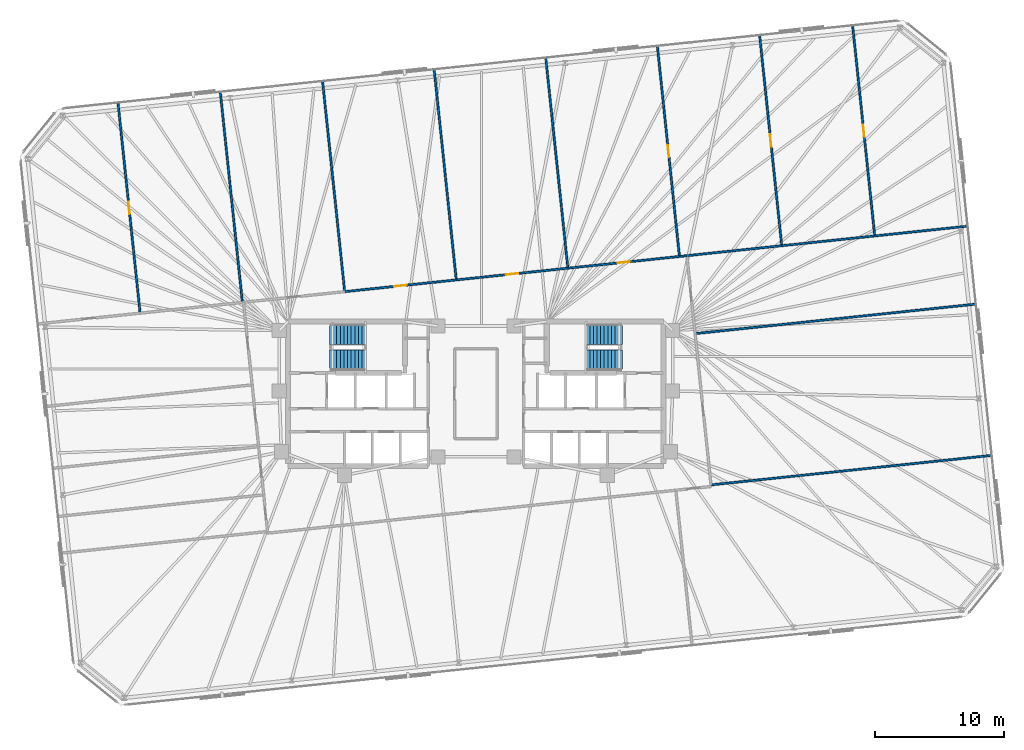
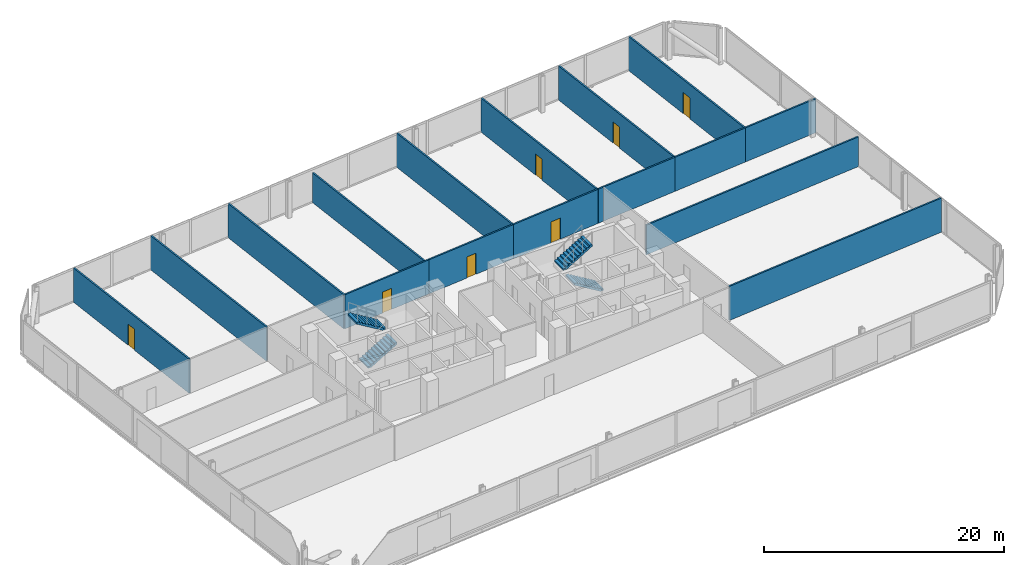
# One storey, part 16 of 18: 17 walls, 7 doors, 4 stair flights, 7 openings, 2 elements without a shape of their own.
"""IFC4 building model written with IfcOpenShell, lengths in metres."""

from ifc_helpers import new_model, si_unit, direction, frame, frame_2d, origin, place, context, subcontext, project, spatial, polyline, rectangle, outline, extrude, material, layer, layer_set, type_object, element, fill, aggregate, save


model = new_model("IFC4")

# Units and contexts
model_context = context("Model", 3, precision=1e-05, world=origin(), true_north=direction((0.0, 1.0)))
body_context = subcontext(model_context, "Body", "Model", "MODEL_VIEW")
ifc_project = project(units=[si_unit("LENGTHUNIT", "METRE"), si_unit("AREAUNIT", "SQUARE_METRE"), si_unit("VOLUMEUNIT", "CUBIC_METRE"), si_unit("PLANEANGLEUNIT", "RADIAN"), si_unit("MASSUNIT", "GRAM", prefix="KILO")], contexts=[model_context])

# Site, building, storey
site_placement = place(None, origin())
site = spatial("IfcSite", under=ifc_project, at=site_placement, CompositionType="ELEMENT")
building_placement = place(site_placement, origin())
building = spatial("IfcBuilding", under=site, at=building_placement, Name="Menara Jurai Vektor", CompositionType="ELEMENT")
storey_placement = place(building_placement, frame((0.0, 0.0, 105.89990234375)))
storey = spatial("IfcBuildingStorey", under=building, at=storey_placement, Name="L26", CompositionType="ELEMENT", Elevation=105.89990234375)

# Wall, opening, door
ifc_material_1 = material(Name="Gypsum Fireboard Partition", Category="gypsum")
ifc_layer_1 = layer(ifc_material_1, 0.14990234375)
ifc_layer_set_1 = layer_set([ifc_layer_1], Name="Gypsum Fireboard Partition")
wall_type_1 = type_object("IfcWallType", Name="INT-WALL-CORR-150", PredefinedType="PARTITIONING", material=ifc_layer_set_1)
wall_1_placement = place(storey_placement, frame((-10.172607421875, 7.915283203125, 0.0), z_axis=(0.0, 0.0, 1.0), x_axis=(0.994521586424, 0.104531402636, 0.0)))
wall_1 = element("IfcWall", 1, at=wall_1_placement, inside=storey, type_object=wall_type_1, Name="Interior Wall IW-150 L26", PredefinedType="PARTITIONING", context=body_context, shape_type="SweptSolid", body=[
    extrude(rectangle(XDim=8.699951171875, YDim=0.14990234375, at=frame_2d((4.35009765625, 0.0))), origin(), (0.0, 0.0, 1.0), 3.47509765625),
])
opening_1_placement = place(wall_1_placement, frame((3.875, 0.0, 0.0)))
opening_1 = element("IfcOpeningElement", 2, at=opening_1_placement, cuts=wall_1, Name="Opening D26-08", PredefinedType="OPENING", context=body_context, shape_type="SweptSolid", body=[
    extrude(rectangle(XDim=0.949951171875, YDim=2.14990234375, at=frame_2d((0.47509765625, 1.074951171875))), frame((0.0, 0.0849609375, 0.0), z_axis=(0.0, -1.0, 0.0), x_axis=(1.0, 0.0, 0.0)), (0.0, 0.0, 1.0), 0.169921875),
])
ifc_material_2 = material(Name="Solid Core Timber Fire Door", Category="wood")
door_type = type_object("IfcDoorType", Name="DR-ENTRY-950", OperationType="NOTDEFINED", PredefinedType="DOOR", material=ifc_material_2)
door_1_placement = place(opening_1_placement, origin())
door_1 = element("IfcDoor", 3, at=door_1_placement, inside=storey, type_object=door_type, Name="Interior Door D26-08", OperationType="SINGLE_SWING_LEFT", OverallHeight=2.14990234375, OverallWidth=0.949951171875, PredefinedType="DOOR", context=body_context, shape_type="SweptSolid", body=[
    extrude(rectangle(XDim=0.949951171875, YDim=2.14990234375, at=frame_2d((0.47509765625, 1.074951171875))), frame((0.0, 0.02490234375, 0.0), z_axis=(0.0, -1.0, 0.0), x_axis=(1.0, 0.0, 0.0)), (0.0, 0.0, 1.0), 0.050048828125),
])
fill(opening_1, door_1)

wall_2_placement = place(storey_placement, frame((-1.520263671875, 8.82470703125, 0.0), z_axis=(0.0, 0.0, 1.0), x_axis=(0.994524503348, 0.104503647022, 0.0)))
wall_2 = element("IfcWall", 4, at=wall_2_placement, inside=storey, type_object=wall_type_1, Name="Interior Wall IW-150 L26", PredefinedType="PARTITIONING", context=body_context, shape_type="SweptSolid", body=[
    extrude(rectangle(XDim=8.699951171875, YDim=0.14990234375, at=frame_2d((4.35009765625, 0.0))), origin(), (0.0, 0.0, 1.0), 3.47509765625),
])
opening_2_placement = place(wall_2_placement, frame((3.875, 0.0, 0.0)))
opening_2 = element("IfcOpeningElement", 5, at=opening_2_placement, cuts=wall_2, Name="Opening D26-09", PredefinedType="OPENING", context=body_context, shape_type="SweptSolid", body=[
    extrude(rectangle(XDim=0.949951171875, YDim=2.14990234375, at=frame_2d((0.47509765625, 1.074951171875))), frame((0.0, 0.0849609375, 0.0), z_axis=(0.0, -1.0, 0.0), x_axis=(1.0, 0.0, 0.0)), (0.0, 0.0, 1.0), 0.169921875),
])
door_2_placement = place(opening_2_placement, origin())
door_2 = element("IfcDoor", 6, at=door_2_placement, inside=storey, type_object=door_type, Name="Interior Door D26-09", OperationType="SINGLE_SWING_RIGHT", OverallHeight=2.14990234375, OverallWidth=0.949951171875, PredefinedType="DOOR", context=body_context, shape_type="SweptSolid", body=[
    extrude(rectangle(XDim=0.949951171875, YDim=2.14990234375, at=frame_2d((0.47509765625, 1.074951171875))), frame((0.0, 0.02490234375, 0.0), z_axis=(0.0, -1.0, 0.0), x_axis=(1.0, 0.0, 0.0)), (0.0, 0.0, 1.0), 0.050048828125),
])
fill(opening_2, door_2)

wall_3_placement = place(storey_placement, frame((7.132080078125, 9.73388671875, 0.0), z_axis=(0.0, 0.0, 1.0), x_axis=(0.994521586424, 0.104531402636, 0.0)))
wall_3 = element("IfcWall", 7, at=wall_3_placement, inside=storey, type_object=wall_type_1, Name="Interior Wall IW-150 L26", PredefinedType="PARTITIONING", context=body_context, shape_type="SweptSolid", body=[
    extrude(rectangle(XDim=8.699951171875, YDim=0.14990234375, at=frame_2d((4.35009765625, 0.0))), origin(), (0.0, 0.0, 1.0), 3.47509765625),
])
opening_3_placement = place(wall_3_placement, frame((3.875, 0.0, 0.0)))
opening_3 = element("IfcOpeningElement", 8, at=opening_3_placement, cuts=wall_3, Name="Opening D26-10", PredefinedType="OPENING", context=body_context, shape_type="SweptSolid", body=[
    extrude(rectangle(XDim=0.949951171875, YDim=2.14990234375, at=frame_2d((0.47509765625, 1.074951171875))), frame((0.0, 0.0849609375, 0.0), z_axis=(0.0, -1.0, 0.0), x_axis=(1.0, 0.0, 0.0)), (0.0, 0.0, 1.0), 0.169921875),
])
door_3_placement = place(opening_3_placement, origin())
door_3 = element("IfcDoor", 9, at=door_3_placement, inside=storey, type_object=door_type, Name="Interior Door D26-10", OperationType="SINGLE_SWING_LEFT", OverallHeight=2.14990234375, OverallWidth=0.949951171875, PredefinedType="DOOR", context=body_context, shape_type="SweptSolid", body=[
    extrude(rectangle(XDim=0.949951171875, YDim=2.14990234375, at=frame_2d((0.47509765625, 1.074951171875))), frame((0.0, 0.02490234375, 0.0), z_axis=(0.0, -1.0, 0.0), x_axis=(1.0, 0.0, 0.0)), (0.0, 0.0, 1.0), 0.050048828125),
])
fill(opening_3, door_3)

# Wall
wall_4_placement = place(storey_placement, frame((15.8291015625, 10.648193359375, 0.0), z_axis=(0.0, 0.0, 1.0), x_axis=(0.994567544876, 0.104093221104, 0.0)))
element("IfcWall", 10, at=wall_4_placement, inside=storey, type_object=wall_type_1, Name="Interior Wall IW-150 L26", PredefinedType="PARTITIONING", context=body_context, shape_type="SweptSolid", body=[
    extrude(rectangle(XDim=0.537109375, YDim=0.14990234375, at=frame_2d((0.2685546875, 0.0))), origin(), (0.0, 0.0, 1.0), 3.47509765625),
])

# Wall, opening, door
wall_5_placement = place(storey_placement, frame((-26.03515625, 6.248046875, 0.0), z_axis=(0.0, 0.0, 1.0), x_axis=(-0.104536080245, 0.994521094762, 0.0)))
wall_5 = element("IfcWall", 11, at=wall_5_placement, inside=storey, type_object=wall_type_1, Name="Interior Wall IW-150 L26", PredefinedType="PARTITIONING", context=body_context, shape_type="SweptSolid", body=[
    extrude(rectangle(XDim=16.408935546875, YDim=0.14990234375, at=frame_2d((8.20458984375, 0.0))), origin(), (0.0, 0.0, 1.0), 3.47509765625),
])
opening_4_placement = place(wall_5_placement, frame((7.7294921875, 0.0, 0.0)))
opening_4 = element("IfcOpeningElement", 12, at=opening_4_placement, cuts=wall_5, Name="Opening D26-20", PredefinedType="OPENING", context=body_context, shape_type="SweptSolid", body=[
    extrude(rectangle(XDim=0.949951171875, YDim=2.14990234375, at=frame_2d((0.47509765625, 1.074951171875))), frame((0.0, 0.0849609375, 0.0), z_axis=(0.0, -1.0, 0.0), x_axis=(1.0, 0.0, 0.0)), (0.0, 0.0, 1.0), 0.169921875),
])
door_4_placement = place(opening_4_placement, origin())
door_4 = element("IfcDoor", 13, at=door_4_placement, inside=storey, type_object=door_type, Name="Interior Door D26-20", OperationType="SINGLE_SWING_LEFT", OverallHeight=2.14990234375, OverallWidth=0.949951171875, PredefinedType="DOOR", context=body_context, shape_type="SweptSolid", body=[
    extrude(rectangle(XDim=0.949951171875, YDim=2.14990234375, at=frame_2d((0.47509765625, 1.074951171875))), frame((0.0, 0.02490234375, 0.0), z_axis=(0.0, -1.0, 0.0), x_axis=(1.0, 0.0, 0.0)), (0.0, 0.0, 1.0), 0.050048828125),
])
fill(opening_4, door_4)

# Walls
for number, where, z_axis, x_axis, name in (
    (14, (-18.10400390625, 7.08154296875, 0.0), (0.0, 0.0, 1.0), (-0.104521364336, 0.99452264147, 0.0), "Interior Wall IW-150 L26"),
    (15, (-10.172607421875, 7.915283203125, 0.0), (0.0, 0.0, 1.0), (-0.104521364336, 0.99452264147, 0.0), "Interior Wall IW-150 L26"),
    (16, (7.132080078125, 9.73388671875, 0.0), (0.0, 0.0, 1.0), (-0.104521364336, 0.99452264147, 0.0), "Interior Wall IW-150 L26"),
):
    element("IfcWall", number, at=place(storey_placement, frame(where, z_axis=z_axis, x_axis=x_axis)), inside=storey, type_object=wall_type_1, Name=name, PredefinedType="PARTITIONING", context=body_context, shape_type="SweptSolid", body=[
        extrude(rectangle(XDim=16.408935546875, YDim=0.14990234375, at=frame_2d((8.20458984375, 0.0))), origin(), (0.0, 0.0, 1.0), 3.47509765625),
    ])

# Wall, opening, door
wall_6_placement = place(storey_placement, frame((15.784423828125, 10.643310546875, 0.0), z_axis=(0.0, 0.0, 1.0), x_axis=(-0.104521364336, 0.99452264147, 0.0)))
wall_6 = element("IfcWall", 17, at=wall_6_placement, inside=storey, type_object=wall_type_1, Name="Interior Wall IW-150 L26", PredefinedType="PARTITIONING", context=body_context, shape_type="SweptSolid", body=[
    extrude(rectangle(XDim=16.408935546875, YDim=0.14990234375, at=frame_2d((8.20458984375, 0.0))), origin(), (0.0, 0.0, 1.0), 3.47509765625),
])
opening_5_placement = place(wall_6_placement, frame((7.7294921875, 0.0, 0.0)))
opening_5 = element("IfcOpeningElement", 18, at=opening_5_placement, cuts=wall_6, Name="Opening D26-21", PredefinedType="OPENING", context=body_context, shape_type="SweptSolid", body=[
    extrude(rectangle(XDim=0.949951171875, YDim=2.14990234375, at=frame_2d((0.47509765625, 1.074951171875))), frame((0.0, 0.0849609375, 0.0), z_axis=(0.0, -1.0, 0.0), x_axis=(1.0, 0.0, 0.0)), (0.0, 0.0, 1.0), 0.169921875),
])
door_5_placement = place(opening_5_placement, origin())
door_5 = element("IfcDoor", 19, at=door_5_placement, inside=storey, type_object=door_type, Name="Interior Door D26-21", OperationType="SINGLE_SWING_RIGHT", OverallHeight=2.14990234375, OverallWidth=0.949951171875, PredefinedType="DOOR", context=body_context, shape_type="SweptSolid", body=[
    extrude(rectangle(XDim=0.949951171875, YDim=2.14990234375, at=frame_2d((0.47509765625, 1.074951171875))), frame((0.0, 0.02490234375, 0.0), z_axis=(0.0, -1.0, 0.0), x_axis=(1.0, 0.0, 0.0)), (0.0, 0.0, 1.0), 0.050048828125),
])
fill(opening_5, door_5)

wall_7_placement = place(storey_placement, frame((23.7158203125, 11.47705078125, 0.0), z_axis=(0.0, 0.0, 1.0), x_axis=(-0.104536080245, 0.994521094762, 0.0)))
wall_7 = element("IfcWall", 20, at=wall_7_placement, inside=storey, type_object=wall_type_1, Name="Interior Wall IW-150 L26", PredefinedType="PARTITIONING", context=body_context, shape_type="SweptSolid", body=[
    extrude(rectangle(XDim=16.408935546875, YDim=0.14990234375, at=frame_2d((8.20458984375, 0.0))), origin(), (0.0, 0.0, 1.0), 3.47509765625),
])
opening_6_placement = place(wall_7_placement, frame((7.7294921875, 0.0, 0.0)))
opening_6 = element("IfcOpeningElement", 21, at=opening_6_placement, cuts=wall_7, Name="Opening D26-22", PredefinedType="OPENING", context=body_context, shape_type="SweptSolid", body=[
    extrude(rectangle(XDim=0.949951171875, YDim=2.14990234375, at=frame_2d((0.47509765625, 1.074951171875))), frame((0.0, 0.0849609375, 0.0), z_axis=(0.0, -1.0, 0.0), x_axis=(1.0, 0.0, 0.0)), (0.0, 0.0, 1.0), 0.169921875),
])
door_6_placement = place(opening_6_placement, origin())
door_6 = element("IfcDoor", 22, at=door_6_placement, inside=storey, type_object=door_type, Name="Interior Door D26-22", OperationType="SINGLE_SWING_LEFT", OverallHeight=2.14990234375, OverallWidth=0.949951171875, PredefinedType="DOOR", context=body_context, shape_type="SweptSolid", body=[
    extrude(rectangle(XDim=0.949951171875, YDim=2.14990234375, at=frame_2d((0.47509765625, 1.074951171875))), frame((0.0, 0.02490234375, 0.0), z_axis=(0.0, -1.0, 0.0), x_axis=(1.0, 0.0, 0.0)), (0.0, 0.0, 1.0), 0.050048828125),
])
fill(opening_6, door_6)

# Wall
wall_8_placement = place(storey_placement, frame((16.36328125, 10.7041015625, 0.0), z_axis=(0.0, 0.0, 1.0), x_axis=(0.994519557807, 0.104550701289, 0.0)))
element("IfcWall", 23, at=wall_8_placement, inside=storey, type_object=wall_type_1, Name="Interior Wall IW-150 L26", PredefinedType="PARTITIONING", context=body_context, shape_type="SweptSolid", body=[
    extrude(rectangle(XDim=7.39306640625, YDim=0.14990234375, at=frame_2d((3.696533203125, 0.0))), origin(), (0.0, 0.0, 1.0), 3.47509765625),
])

# Wall, opening, door
wall_9_placement = place(storey_placement, frame((30.926025390625, 12.23486328125, 0.0), z_axis=(0.0, 0.0, 1.0), x_axis=(-0.104536080245, 0.994521094762, 0.0)))
wall_9 = element("IfcWall", 24, at=wall_9_placement, inside=storey, type_object=wall_type_1, Name="Interior Wall IW-150 L26", PredefinedType="PARTITIONING", context=body_context, shape_type="SweptSolid", body=[
    extrude(rectangle(XDim=16.408935546875, YDim=0.14990234375, at=frame_2d((8.20458984375, 0.0))), origin(), (0.0, 0.0, 1.0), 3.47509765625),
])
opening_7_placement = place(wall_9_placement, frame((7.7294921875, 0.0, 0.0)))
opening_7 = element("IfcOpeningElement", 25, at=opening_7_placement, cuts=wall_9, Name="Opening D26-23", PredefinedType="OPENING", context=body_context, shape_type="SweptSolid", body=[
    extrude(rectangle(XDim=0.949951171875, YDim=2.14990234375, at=frame_2d((0.47509765625, 1.074951171875))), frame((0.0, 0.0849609375, 0.0), z_axis=(0.0, -1.0, 0.0), x_axis=(1.0, 0.0, 0.0)), (0.0, 0.0, 1.0), 0.169921875),
])
door_7_placement = place(opening_7_placement, origin())
door_7 = element("IfcDoor", 26, at=door_7_placement, inside=storey, type_object=door_type, Name="Interior Door D26-23", OperationType="SINGLE_SWING_RIGHT", OverallHeight=2.14990234375, OverallWidth=0.949951171875, PredefinedType="DOOR", context=body_context, shape_type="SweptSolid", body=[
    extrude(rectangle(XDim=0.949951171875, YDim=2.14990234375, at=frame_2d((0.47509765625, 1.074951171875))), frame((0.0, 0.02490234375, 0.0), z_axis=(0.0, -1.0, 0.0), x_axis=(1.0, 0.0, 0.0)), (0.0, 0.0, 1.0), 0.050048828125),
])
fill(opening_7, door_7)

# Walls
for number, where, z_axis, x_axis, name in (
    (27, (23.7158203125, 11.47705078125, 0.0), (0.0, 0.0, 1.0), (0.994522047228, 0.104527018406, 0.0), "Interior Wall IW-150 L26"),
    (28, (30.926025390625, 12.23486328125, 0.0), (0.0, 0.0, 1.0), (0.994522047228, 0.104527018406, 0.0), "Interior Wall IW-150 L26"),
):
    element("IfcWall", number, at=place(storey_placement, frame(where, z_axis=z_axis, x_axis=x_axis)), inside=storey, type_object=wall_type_1, Name=name, PredefinedType="PARTITIONING", context=body_context, shape_type="SweptSolid", body=[
        extrude(rectangle(XDim=7.25, YDim=0.14990234375, at=frame_2d((3.625, 0.0))), origin(), (0.0, 0.0, 1.0), 3.47509765625),
    ])
wall_10_placement = place(storey_placement, frame((18.231201171875, -7.06787109375, 0.0), z_axis=(0.0, 0.0, 1.0), x_axis=(0.994521328491, 0.104533856601, 0.0)))
element("IfcWall", 29, at=wall_10_placement, inside=storey, type_object=wall_type_1, Name="Interior Wall IW-150 L26", PredefinedType="PARTITIONING", context=body_context, shape_type="SweptSolid", body=[
    extrude(rectangle(XDim=21.89306640625, YDim=0.14990234375, at=frame_2d((10.946533203125, 0.0))), origin(), (0.0, 0.0, 1.0), 3.47509765625),
])
ifc_layer_2 = layer(ifc_material_1, 0.14990234375)
ifc_layer_set_2 = layer_set([ifc_layer_2], Name="Gypsum Fireboard Partition")
wall_type_2 = type_object("IfcWallType", Name="INT-WALL-CORR-150-H1", PredefinedType="PARTITIONING", material=ifc_layer_set_2)
wall_11_placement = place(storey_placement, frame((-1.520263671875, 8.82470703125, 0.0), z_axis=(0.0, 0.0, 1.0), x_axis=(-0.104521364336, 0.99452264147, 0.0)))
element("IfcWall", 30, at=wall_11_placement, inside=storey, type_object=wall_type_2, Name="Interior Wall IW-150 L26", PredefinedType="PARTITIONING", context=body_context, shape_type="SweptSolid", body=[
    extrude(rectangle(XDim=16.408935546875, YDim=0.14990234375, at=frame_2d((8.20458984375, 0.0))), origin(), (0.0, 0.0, 1.0), 3.025146484375),
])
wall_12_placement = place(storey_placement, frame((16.998291015625, 4.66162109375, 0.0), z_axis=(0.0, 0.0, 1.0), x_axis=(0.994522487751, 0.10452282697, 0.0)))
element("IfcWall", 31, at=wall_12_placement, inside=storey, type_object=wall_type_2, Name="Interior Wall IW-150 L26", PredefinedType="PARTITIONING", context=body_context, shape_type="SweptSolid", body=[
    extrude(rectangle(XDim=21.89306640625, YDim=0.14990234375, at=frame_2d((10.946533203125, 0.0))), origin(), (0.0, 0.0, 1.0), 3.025146484375),
])

# Stair, stair flights
ifc_material_3 = material(Name="Concrete C40/50", Category="concrete")
stair_type = type_object("IfcStairType", Name="STAIR-DOGLEG-1500", PredefinedType="HALF_TURN_STAIR", material=ifc_material_3)
stair_1_placement = place(storey_placement, origin())
stair_1 = element("IfcStair", 32, at=stair_1_placement, inside=storey, type_object=stair_type, Name="Protected Exit Stair ST1 L26", PredefinedType="HALF_TURN_STAIR")
stair_flight_type = type_object("IfcStairFlightType", Name="STAIR-FLIGHT-1500", PredefinedType="STRAIGHT", material=ifc_material_3)
stair_flight_1_placement = place(storey_placement, frame((-11.35009765625, 2.64990234375, 0.0), z_axis=(0.0, 0.0, 1.0), x_axis=(1.0, 0.0, 0.0)))
stair_flight_1 = element("IfcStairFlight", 33, at=stair_flight_1_placement, type_object=stair_flight_type, Name="ST1 flight 1", NumberOfRisers=11, NumberOfTreads=10, PredefinedType="STRAIGHT", RiserHeight=0.168182, TreadLength=0.28, context=body_context, shape_type="SweptSolid", body=[
    extrude(outline(polyline([(0.0, 0.0), (0.0, 0.168212890625), (0.280029296875, 0.168212890625), (0.280029296875, 0.33642578125), (0.56005859375, 0.33642578125), (0.56005859375, 0.504638671875), (0.840087890625, 0.504638671875), (0.840087890625, 0.672607421875), (1.1201171875, 0.672607421875), (1.1201171875, 0.8408203125), (1.39990234375, 0.8408203125), (1.39990234375, 1.009033203125), (1.679931640625, 1.009033203125), (1.679931640625, 1.17724609375), (1.9599609375, 1.17724609375), (1.9599609375, 1.345458984375), (2.239990234375, 1.345458984375), (2.239990234375, 1.513671875), (2.52001953125, 1.513671875), (2.52001953125, 1.681884765625), (2.800048828125, 1.681884765625), (2.800048828125, 1.85009765625), (2.800048828125, 1.495361328125), (0.310546875, 0.0), (0.0, 0.0)])), frame((0.0, 0.75, 0.0), z_axis=(0.0, -1.0, 0.0), x_axis=(1.0, 0.0, 0.0)), (0.0, 0.0, 1.0), 1.5),
])
stair_flight_2_placement = place(storey_placement, frame((-8.550048828125, 4.550048828125, 1.85009765625), z_axis=(0.0, 0.0, 1.0), x_axis=(-1.0, 0.0, 0.0)))
stair_flight_2 = element("IfcStairFlight", 34, at=stair_flight_2_placement, type_object=stair_flight_type, Name="ST1 flight 2", NumberOfRisers=11, NumberOfTreads=10, PredefinedType="STRAIGHT", RiserHeight=0.168182, TreadLength=0.28, context=body_context, shape_type="SweptSolid", body=[
    extrude(outline(polyline([(0.0, 0.0), (0.0, 0.168212890625), (0.280029296875, 0.168212890625), (0.280029296875, 0.33642578125), (0.56005859375, 0.33642578125), (0.56005859375, 0.504638671875), (0.840087890625, 0.504638671875), (0.840087890625, 0.672607421875), (1.1201171875, 0.672607421875), (1.1201171875, 0.8408203125), (1.39990234375, 0.8408203125), (1.39990234375, 1.009033203125), (1.679931640625, 1.009033203125), (1.679931640625, 1.17724609375), (1.9599609375, 1.17724609375), (1.9599609375, 1.345458984375), (2.239990234375, 1.345458984375), (2.239990234375, 1.513671875), (2.52001953125, 1.513671875), (2.52001953125, 1.681884765625), (2.800048828125, 1.681884765625), (2.800048828125, 1.85009765625), (2.800048828125, 1.495361328125), (0.310546875, 0.0), (0.0, 0.0)])), frame((0.0, 0.75, 0.0), z_axis=(0.0, -1.0, 0.0), x_axis=(1.0, 0.0, 0.0)), (0.0, 0.0, 1.0), 1.5),
])
aggregate(stair_1, [stair_flight_1, stair_flight_2])

stair_2_placement = place(storey_placement, origin())
stair_2 = element("IfcStair", 35, at=stair_2_placement, inside=storey, type_object=stair_type, Name="Protected Exit Stair ST2 L26", PredefinedType="HALF_TURN_STAIR")
stair_flight_3_placement = place(storey_placement, frame((11.35009765625, 2.64990234375, 0.0), z_axis=(0.0, 0.0, 1.0), x_axis=(-1.0, 0.0, 0.0)))
stair_flight_3 = element("IfcStairFlight", 36, at=stair_flight_3_placement, type_object=stair_flight_type, Name="ST2 flight 1", NumberOfRisers=11, NumberOfTreads=10, PredefinedType="STRAIGHT", RiserHeight=0.168182, TreadLength=0.28, context=body_context, shape_type="SweptSolid", body=[
    extrude(outline(polyline([(0.0, 0.0), (0.0, 0.168212890625), (0.280029296875, 0.168212890625), (0.280029296875, 0.33642578125), (0.56005859375, 0.33642578125), (0.56005859375, 0.504638671875), (0.840087890625, 0.504638671875), (0.840087890625, 0.672607421875), (1.1201171875, 0.672607421875), (1.1201171875, 0.8408203125), (1.39990234375, 0.8408203125), (1.39990234375, 1.009033203125), (1.679931640625, 1.009033203125), (1.679931640625, 1.17724609375), (1.9599609375, 1.17724609375), (1.9599609375, 1.345458984375), (2.239990234375, 1.345458984375), (2.239990234375, 1.513671875), (2.52001953125, 1.513671875), (2.52001953125, 1.681884765625), (2.800048828125, 1.681884765625), (2.800048828125, 1.85009765625), (2.800048828125, 1.495361328125), (0.310546875, 0.0), (0.0, 0.0)])), frame((0.0, 0.75, 0.0), z_axis=(0.0, -1.0, 0.0), x_axis=(1.0, 0.0, 0.0)), (0.0, 0.0, 1.0), 1.5),
])
stair_flight_4_placement = place(storey_placement, frame((8.550048828125, 4.550048828125, 1.85009765625), z_axis=(0.0, 0.0, 1.0), x_axis=(1.0, 0.0, 0.0)))
stair_flight_4 = element("IfcStairFlight", 37, at=stair_flight_4_placement, type_object=stair_flight_type, Name="ST2 flight 2", NumberOfRisers=11, NumberOfTreads=10, PredefinedType="STRAIGHT", RiserHeight=0.168182, TreadLength=0.28, context=body_context, shape_type="SweptSolid", body=[
    extrude(outline(polyline([(0.0, 0.0), (0.0, 0.168212890625), (0.280029296875, 0.168212890625), (0.280029296875, 0.33642578125), (0.56005859375, 0.33642578125), (0.56005859375, 0.504638671875), (0.840087890625, 0.504638671875), (0.840087890625, 0.672607421875), (1.1201171875, 0.672607421875), (1.1201171875, 0.8408203125), (1.39990234375, 0.8408203125), (1.39990234375, 1.009033203125), (1.679931640625, 1.009033203125), (1.679931640625, 1.17724609375), (1.9599609375, 1.17724609375), (1.9599609375, 1.345458984375), (2.239990234375, 1.345458984375), (2.239990234375, 1.513671875), (2.52001953125, 1.513671875), (2.52001953125, 1.681884765625), (2.800048828125, 1.681884765625), (2.800048828125, 1.85009765625), (2.800048828125, 1.495361328125), (0.310546875, 0.0), (0.0, 0.0)])), frame((0.0, 0.75, 0.0), z_axis=(0.0, -1.0, 0.0), x_axis=(1.0, 0.0, 0.0)), (0.0, 0.0, 1.0), 1.5),
])
aggregate(stair_2, [stair_flight_3, stair_flight_4])

save(model, "model.ifc")
